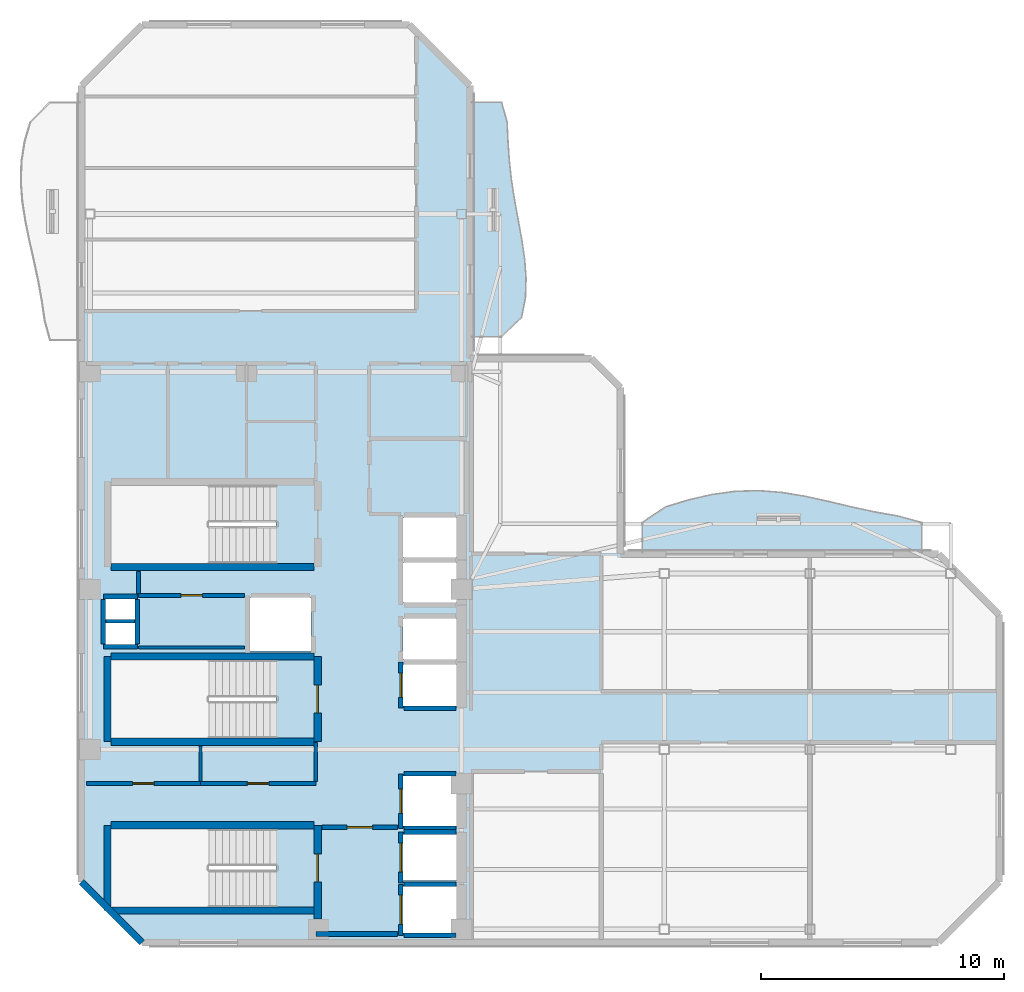
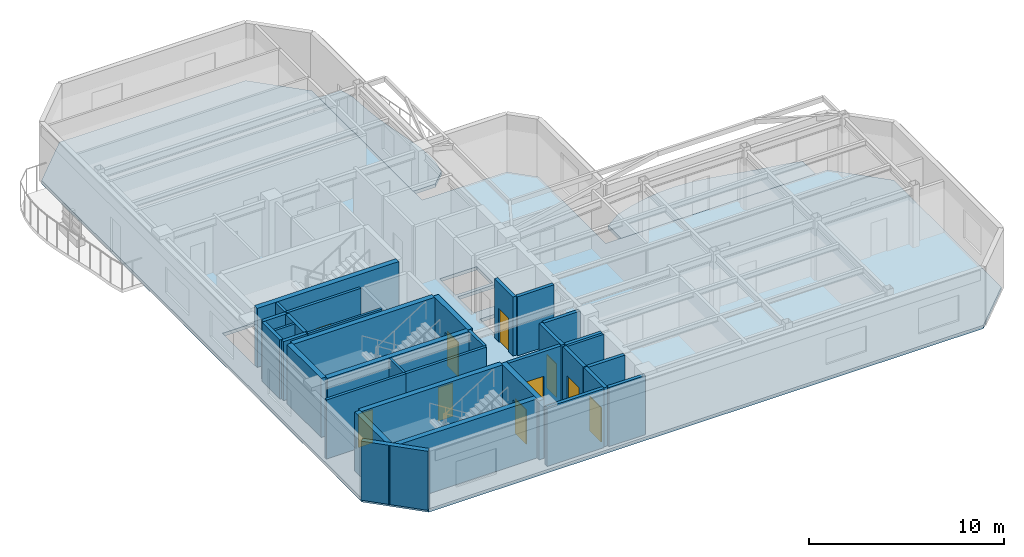
# One storey, part 2 of 8: 34 walls, 10 doors, 3 slabs, 10 openings.
"""IFC4 building model written with IfcOpenShell, lengths in metres."""

from ifc_helpers import new_model, si_unit, direction, frame, frame_2d, origin, place, context, subcontext, project, spatial, polyline, rectangle, outline, extrude, material, layer, layer_set, type_object, element, fill, save


model = new_model("IFC4")

# Units and contexts
model_context = context("Model", 3, precision=1e-05, world=origin(), true_north=direction((0.0, 1.0)))
body_context = subcontext(model_context, "Body", "Model", "MODEL_VIEW")
ifc_project = project(units=[si_unit("LENGTHUNIT", "METRE"), si_unit("AREAUNIT", "SQUARE_METRE"), si_unit("VOLUMEUNIT", "CUBIC_METRE"), si_unit("PLANEANGLEUNIT", "RADIAN"), si_unit("MASSUNIT", "GRAM", prefix="KILO")], contexts=[model_context])

# Site, building, storey
site_placement = place(None, origin())
site = spatial("IfcSite", under=ifc_project, at=site_placement, CompositionType="ELEMENT")
building_placement = place(site_placement, origin())
building = spatial("IfcBuilding", under=site, at=building_placement, Name="Mawjaban Terraces University", CompositionType="ELEMENT")
storey_placement = place(building_placement, frame((0.0, 0.0, 263.800048828125)))
storey = spatial("IfcBuildingStorey", under=building, at=storey_placement, Name="L64", CompositionType="ELEMENT", Elevation=263.800048828125)

# Slabs
ifc_material_1 = material(Name="Concrete C40/50", Category="concrete")
ifc_layer_1 = layer(ifc_material_1, 0.2099609375)
ifc_layer_set_1 = layer_set([ifc_layer_1], Name="Concrete C40/50")
slab_type_1 = type_object("IfcSlabType", Name="BalconySlab_210_Ext", PredefinedType="FLOOR", material=ifc_layer_set_1)
slab_1_placement = place(storey_placement, frame((0.0, 0.0, -0.2099609375)))
element("IfcSlab", 1, at=slab_1_placement, inside=storey, type_object=slab_type_1, Name="L64 Planted Balcony Slab inner_north", PredefinedType="FLOOR", context=body_context, shape_type="SweptSolid", body=[
    extrude(outline(polyline([(45.10009765625, 15.989990234375), (56.60009765625, 15.989990234375), (56.60009765625, 17.300048828125), (55.64208984375, 17.56103515625), (54.68310546875, 17.73095703125), (53.72509765625, 17.93798828125), (52.76708984375, 18.1650390625), (51.80810546875, 18.376953125), (50.85009765625, 18.534912109375), (49.89208984375, 18.610107421875), (48.93310546875, 18.5830078125), (47.97509765625, 18.452880859375), (47.01708984375, 18.23388671875), (46.05810546875, 17.94189453125), (45.10009765625, 17.300048828125), (45.10009765625, 15.989990234375)])), origin(), (0.0, 0.0, 1.0), 0.2099609375),
])
slab_2_placement = place(storey_placement, frame((0.0, 0.0, -0.2099609375)))
element("IfcSlab", 2, at=slab_2_placement, inside=storey, type_object=slab_type_1, Name="L64 Planted Balcony Slab inner_east", PredefinedType="FLOOR", context=body_context, shape_type="SweptSolid", body=[
    extrude(outline(polyline([(39.300048828125, 24.949951171875), (40.1259765625, 25.75390625), (40.282958984375, 26.55810546875), (40.30908203125, 27.363037109375), (40.248046875, 28.1669921875), (40.12890625, 28.970947265625), (39.98291015625, 29.77490234375), (39.8349609375, 30.5791015625), (39.708984375, 31.383056640625), (39.618896484375, 32.18798828125), (39.56494140625, 32.991943359375), (39.528076171875, 33.7958984375), (39.300048828125, 34.60009765625), (37.989990234375, 34.60009765625), (37.989990234375, 24.949951171875), (39.300048828125, 24.949951171875)])), origin(), (0.0, 0.0, 1.0), 0.2099609375),
])
ifc_layer_2 = layer(ifc_material_1, 0.2099609375)
ifc_layer_set_2 = layer_set([ifc_layer_2], Name="Concrete C40/50")
slab_type_2 = type_object("IfcSlabType", Name="CompositeSlab_210", PredefinedType="FLOOR", material=ifc_layer_set_2)
slab_3_placement = place(storey_placement, frame((0.0, 0.0, -0.2099609375)))
element("IfcSlab", 3, at=slab_3_placement, inside=storey, type_object=slab_type_2, Name="L64 Primary Structural Slab", PredefinedType="FLOOR", context=body_context, shape_type="SweptSolid", body=[
    extrude(outline(polyline([(24.5, 0.0), (57.300048828125, 0.0), (59.800048828125, 2.5), (59.800048828125, 13.5), (57.300048828125, 16.0), (44.199951171875, 16.0), (44.199951171875, 22.85009765625), (43.0, 24.050048828125), (38.0, 24.050048828125), (38.0, 35.300048828125), (35.5, 37.800048828125), (24.5, 37.800048828125), (22.0, 35.300048828125), (22.0, 2.5), (24.5, 0.0)]), holes=[polyline([(30.014892578125, 4.699951171875), (23.199951171875, 4.699951171875), (23.199951171875, 1.449951171875), (30.014892578125, 1.449951171875), (30.014892578125, 4.699951171875)]), polyline([(30.014892578125, 18.85009765625), (23.199951171875, 18.85009765625), (23.199951171875, 15.60009765625), (30.014892578125, 15.60009765625), (30.014892578125, 18.85009765625)]), polyline([(30.014892578125, 11.64990234375), (23.199951171875, 11.64990234375), (23.199951171875, 8.39990234375), (30.014892578125, 8.39990234375), (30.014892578125, 11.64990234375)]), polyline([(35.25, 0.39990234375), (37.449951171875, 0.39990234375), (37.449951171875, 2.300048828125), (35.25, 2.300048828125), (35.25, 0.39990234375)]), polyline([(35.25, 2.550048828125), (37.449951171875, 2.550048828125), (37.449951171875, 4.449951171875), (35.25, 4.449951171875), (35.25, 2.550048828125)]), polyline([(35.25, 4.800048828125), (37.449951171875, 4.800048828125), (37.449951171875, 6.85009765625), (35.25, 6.85009765625), (35.25, 4.800048828125)]), polyline([(35.25, 9.75), (37.449951171875, 9.75), (37.449951171875, 11.449951171875), (35.25, 11.449951171875), (35.25, 9.75)]), polyline([(35.25, 11.64990234375), (37.449951171875, 11.64990234375), (37.449951171875, 13.35009765625), (35.25, 13.35009765625), (35.25, 11.64990234375)]), polyline([(28.949951171875, 12.0), (31.449951171875, 12.0), (31.449951171875, 14.199951171875), (28.949951171875, 14.199951171875), (28.949951171875, 12.0)]), polyline([(35.25, 14.0), (37.449951171875, 14.0), (37.449951171875, 15.64990234375), (35.25, 15.64990234375), (35.25, 14.0)]), polyline([(35.25, 15.85009765625), (37.449951171875, 15.85009765625), (37.449951171875, 17.5), (35.25, 17.5), (35.25, 15.85009765625)]), polyline([(23.0, 12.25), (24.199951171875, 12.25), (24.199951171875, 13.14990234375), (23.0, 13.14990234375), (23.0, 12.25)]), polyline([(23.0, 13.300048828125), (24.199951171875, 13.300048828125), (24.199951171875, 14.179931640625), (23.0, 14.179931640625), (23.0, 13.300048828125)])]), origin(), (0.0, 0.0, 1.0), 0.2099609375),
])

# Wall, opening, door
ifc_material_2 = material(Name="Fire-rated gypsum board on steel stud", Category="steel")
ifc_layer_3 = layer(ifc_material_2, 0.159912109375)
ifc_layer_set_3 = layer_set([ifc_layer_3], Name="Fire-rated gypsum board on steel stud")
wall_type_1 = type_object("IfcWallType", Name="CorridorPartition_160", PredefinedType="PARTITIONING", material=ifc_layer_set_3)
wall_1_placement = place(storey_placement, frame((24.35009765625, 14.300048828125, 0.0), z_axis=(0.0, 0.0, 1.0), x_axis=(1.0, 0.0, 0.0)))
wall_1 = element("IfcWall", 4, at=wall_1_placement, inside=storey, type_object=wall_type_1, Name="L64 Core Riser Access Passage Partition 2", PredefinedType="PARTITIONING", context=body_context, shape_type="SweptSolid", body=[
    extrude(rectangle(XDim=4.369873046875, YDim=0.159912109375, at=frame_2d((2.18505859375, 0.0))), origin(), (0.0, 0.0, 1.0), 3.68994140625),
])
opening_1_placement = place(wall_1_placement, frame((1.7451171875, 0.0, 0.0)))
opening_1 = element("IfcOpeningElement", 5, at=opening_1_placement, cuts=wall_1, Name="Opening ID-088", PredefinedType="OPENING", context=body_context, shape_type="SweptSolid", body=[
    extrude(rectangle(XDim=0.8798828125, YDim=2.10009765625, at=frame_2d((0.43994140625, 1.050048828125))), frame((0.0, 0.08984375, 0.0), z_axis=(0.0, -1.0, 0.0), x_axis=(1.0, 0.0, 0.0)), (0.0, 0.0, 1.0), 0.179931640625),
])
ifc_material_3 = material(Name="Powder-coated steel frame and solid acoustic timber leaf", Category="steel")
door_type_1 = type_object("IfcDoorType", Name="ToiletDoor_880x2100", OperationType="NOTDEFINED", PredefinedType="DOOR", material=ifc_material_3)
door_1_placement = place(opening_1_placement, origin())
door_1 = element("IfcDoor", 6, at=door_1_placement, inside=storey, type_object=door_type_1, Name="L64 Ablution Room Door", OperationType="SINGLE_SWING_RIGHT", OverallHeight=2.10009765625, OverallWidth=0.8798828125, PredefinedType="DOOR", context=body_context, shape_type="SweptSolid", body=[
    extrude(rectangle(XDim=0.8798828125, YDim=2.10009765625, at=frame_2d((0.43994140625, 1.050048828125))), frame((0.0, 0.02490234375, 0.0), z_axis=(0.0, -1.0, 0.0), x_axis=(1.0, 0.0, 0.0)), (0.0, 0.0, 1.0), 0.050048828125),
])
fill(opening_1, door_1)

wall_2_placement = place(storey_placement, frame((26.89990234375, 6.550048828125, 0.0), z_axis=(0.0, 0.0, 1.0), x_axis=(-1.0, 0.0, 0.0)))
wall_2 = element("IfcWall", 7, at=wall_2_placement, inside=storey, type_object=wall_type_1, Name="L64 Core Washroom Lobby Partition 4", PredefinedType="PARTITIONING", context=body_context, shape_type="SweptSolid", body=[
    extrude(rectangle(XDim=4.699951171875, YDim=0.159912109375, at=frame_2d((2.35009765625, 0.0))), origin(), (0.0, 0.0, 1.0), 3.68994140625),
])
opening_2_placement = place(wall_2_placement, frame((1.909912109375, 0.0, 0.0)))
opening_2 = element("IfcOpeningElement", 8, at=opening_2_placement, cuts=wall_2, Name="Opening ID-088", PredefinedType="OPENING", context=body_context, shape_type="SweptSolid", body=[
    extrude(rectangle(XDim=0.8798828125, YDim=2.10009765625, at=frame_2d((0.43994140625, 1.050048828125))), frame((0.0, 0.08984375, 0.0), z_axis=(0.0, -1.0, 0.0), x_axis=(1.0, 0.0, 0.0)), (0.0, 0.0, 1.0), 0.179931640625),
])
door_2_placement = place(opening_2_placement, origin())
door_2 = element("IfcDoor", 9, at=door_2_placement, inside=storey, type_object=door_type_1, Name="L64 Male Toilet Door", OperationType="SINGLE_SWING_RIGHT", OverallHeight=2.10009765625, OverallWidth=0.8798828125, PredefinedType="DOOR", context=body_context, shape_type="SweptSolid", body=[
    extrude(rectangle(XDim=0.8798828125, YDim=2.10009765625, at=frame_2d((0.43994140625, 1.050048828125))), frame((0.0, 0.02490234375, 0.0), z_axis=(0.0, -1.0, 0.0), x_axis=(1.0, 0.0, 0.0)), (0.0, 0.0, 1.0), 0.050048828125),
])
fill(opening_2, door_2)

wall_3_placement = place(storey_placement, frame((31.64990234375, 6.550048828125, 0.0), z_axis=(0.0, 0.0, 1.0), x_axis=(-1.0, 0.0, 0.0)))
wall_3 = element("IfcWall", 10, at=wall_3_placement, inside=storey, type_object=wall_type_1, Name="L64 Core Washroom Lobby Partition 7", PredefinedType="PARTITIONING", context=body_context, shape_type="SweptSolid", body=[
    extrude(rectangle(XDim=4.75, YDim=0.159912109375, at=frame_2d((2.375, 0.0))), origin(), (0.0, 0.0, 1.0), 3.68994140625),
])
opening_3_placement = place(wall_3_placement, frame((1.93505859375, 0.0, 0.0)))
opening_3 = element("IfcOpeningElement", 11, at=opening_3_placement, cuts=wall_3, Name="Opening ID-088", PredefinedType="OPENING", context=body_context, shape_type="SweptSolid", body=[
    extrude(rectangle(XDim=0.8798828125, YDim=2.10009765625, at=frame_2d((0.43994140625, 1.050048828125))), frame((0.0, 0.08984375, 0.0), z_axis=(0.0, -1.0, 0.0), x_axis=(1.0, 0.0, 0.0)), (0.0, 0.0, 1.0), 0.179931640625),
])
door_3_placement = place(opening_3_placement, origin())
door_3 = element("IfcDoor", 12, at=door_3_placement, inside=storey, type_object=door_type_1, Name="L64 Accessible Toilet Door", OperationType="SINGLE_SWING_LEFT", OverallHeight=2.10009765625, OverallWidth=0.8798828125, PredefinedType="DOOR", context=body_context, shape_type="SweptSolid", body=[
    extrude(rectangle(XDim=0.8798828125, YDim=2.10009765625, at=frame_2d((0.43994140625, 1.050048828125))), frame((0.0, 0.02490234375, 0.0), z_axis=(0.0, -1.0, 0.0), x_axis=(1.0, 0.0, 0.0)), (0.0, 0.0, 1.0), 0.050048828125),
])
fill(opening_3, door_3)

# Walls
wall_4_placement = place(storey_placement, frame((24.35009765625, 15.2900390625, 0.0), z_axis=(0.0, 0.0, 1.0), x_axis=(0.0, -1.0, 0.0)))
element("IfcWall", 13, at=wall_4_placement, inside=storey, type_object=wall_type_1, Name="L64 Core Riser Access Passage Partition 24", PredefinedType="PARTITIONING", context=body_context, shape_type="SweptSolid", body=[
    extrude(rectangle(XDim=0.9150390625, YDim=0.159912109375, at=frame_2d((0.45751953125, 0.0))), origin(), (0.0, 0.0, 1.0), 3.68994140625),
])
wall_5_placement = place(storey_placement, frame((31.64990234375, 8.239990234375, 0.0), z_axis=(0.0, 0.0, 1.0), x_axis=(0.0, -1.0, 0.0)))
element("IfcWall", 14, at=wall_5_placement, inside=storey, type_object=wall_type_1, Name="L64 High-Rise Lift Lobby Partition 29", PredefinedType="PARTITIONING", context=body_context, shape_type="SweptSolid", body=[
    extrude(rectangle(XDim=1.614990234375, YDim=0.159912109375, at=frame_2d((0.8076171875, 0.0))), origin(), (0.0, 0.0, 1.0), 3.68994140625),
])
ifc_material_4 = material(Name="Insulated terracotta rainscreen on concrete backup C40/50", Category="masonry")
ifc_layer_4 = layer(ifc_material_4, 0.27490234375)
ifc_layer_set_4 = layer_set([ifc_layer_4], Name="Insulated terracotta rainscreen on concrete backup C40/50")
wall_type_2 = type_object("IfcWallType", Name="ExtTerracottaWall_275", PredefinedType="SOLIDWALL", material=ifc_layer_set_4)
wall_6_placement = place(storey_placement, frame((22.0, 2.5, 0.0), z_axis=(0.0, 0.0, 1.0), x_axis=(0.707106781187, -0.707106781187, 0.0)))
element("IfcWall", 15, at=wall_6_placement, inside=storey, type_object=wall_type_2, Name="L64 Exterior Terracotta Wall 14", PredefinedType="SOLIDWALL", context=body_context, shape_type="SweptSolid", body=[
    extrude(rectangle(XDim=3.53564453125, YDim=0.27490234375, at=frame_2d((1.767822265625, 0.0))), origin(), (0.0, 0.0, 1.0), 3.68994140625),
])

# Wall, opening, door
ifc_layer_5 = layer(ifc_material_1, 0.199951171875)
ifc_layer_set_5 = layer_set([ifc_layer_5], Name="Concrete C40/50")
wall_type_3 = type_object("IfcWallType", Name="FireLobbyWall_200", PredefinedType="SOLIDWALL", material=ifc_layer_set_5)
wall_7_placement = place(storey_placement, frame((35.14990234375, 2.39990234375, 0.0), z_axis=(0.0, 0.0, 1.0), x_axis=(0.0, -1.0, 0.0)))
wall_7 = element("IfcWall", 16, at=wall_7_placement, inside=storey, type_object=wall_type_3, Name="L64 Lift FL-1 Hoistway Wall West", PredefinedType="SOLIDWALL", context=body_context, shape_type="SweptSolid", body=[
    extrude(rectangle(XDim=2.099853515625, YDim=0.199951171875, at=frame_2d((1.0498046875, 0.0))), origin(), (0.0, 0.0, 1.0), 3.68994140625),
])
opening_4_placement = place(wall_7_placement, frame((0.449951171875, 0.0, 0.0)))
opening_4 = element("IfcOpeningElement", 17, at=opening_4_placement, cuts=wall_7, Name="Opening LD-FL-1", PredefinedType="OPENING", context=body_context, shape_type="SweptSolid", body=[
    extrude(rectangle(XDim=1.199951171875, YDim=2.14990234375, at=frame_2d((0.60009765625, 1.074951171875))), frame((0.0, 0.10986328125, 0.0), z_axis=(0.0, -1.0, 0.0), x_axis=(1.0, 0.0, 0.0)), (0.0, 0.0, 1.0), 0.219970703125),
])
ifc_material_5 = material(Name="Powder-coated steel frame and fire-rated steel-faced leaf", Category="steel")
door_type_2 = type_object("IfcDoorType", Name="LiftLandingFSAE_1200x2150", OperationType="NOTDEFINED", PredefinedType="DOOR", material=ifc_material_5)
door_4_placement = place(opening_4_placement, origin())
door_4 = element("IfcDoor", 18, at=door_4_placement, inside=storey, type_object=door_type_2, Name="L64 Lift FL-1 Sliding Landing Door", OperationType="DOUBLE_DOOR_SLIDING", OverallHeight=2.14990234375, OverallWidth=1.199951171875, PredefinedType="DOOR", context=body_context, shape_type="SweptSolid", body=[
    extrude(rectangle(XDim=1.199951171875, YDim=2.14990234375, at=frame_2d((0.60009765625, 1.074951171875))), frame((0.0, 0.02490234375, 0.0), z_axis=(0.0, -1.0, 0.0), x_axis=(1.0, 0.0, 0.0)), (0.0, 0.0, 1.0), 0.050048828125),
])
fill(opening_4, door_4)

# Walls
for number, where, z_axis, x_axis, name in (
    (19, (35.280029296875, 0.300048828125, 0.0), (0.0, 0.0, 1.0), (1.0, 0.0, 0.0), "L64 Lift FL-1 Hoistway Wall South"),
    (20, (37.419921875, 2.39990234375, 0.0), (0.0, 0.0, 1.0), (-1.0, 0.0, 0.0), "L64 Lift FL-1 Hoistway Wall North"),
):
    element("IfcWall", number, at=place(storey_placement, frame(where, z_axis=z_axis, x_axis=x_axis)), inside=storey, type_object=wall_type_3, Name=name, PredefinedType="SOLIDWALL", context=body_context, shape_type="SweptSolid", body=[
        extrude(rectangle(XDim=2.139892578125, YDim=0.199951171875, at=frame_2d((1.06982421875, 0.0))), origin(), (0.0, 0.0, 1.0), 3.68994140625),
    ])

# Wall, opening, door
wall_8_placement = place(storey_placement, frame((35.14990234375, 4.550048828125, 0.0), z_axis=(0.0, 0.0, 1.0), x_axis=(0.0, -1.0, 0.0)))
wall_8 = element("IfcWall", 21, at=wall_8_placement, inside=storey, type_object=wall_type_3, Name="L64 Lift FL-2 Hoistway Wall West", PredefinedType="SOLIDWALL", context=body_context, shape_type="SweptSolid", body=[
    extrude(rectangle(XDim=2.10009765625, YDim=0.199951171875, at=frame_2d((1.050048828125, 0.0))), origin(), (0.0, 0.0, 1.0), 3.68994140625),
])
opening_5_placement = place(wall_8_placement, frame((0.449951171875, 0.0, 0.0)))
opening_5 = element("IfcOpeningElement", 22, at=opening_5_placement, cuts=wall_8, Name="Opening LD-FL-2", PredefinedType="OPENING", context=body_context, shape_type="SweptSolid", body=[
    extrude(rectangle(XDim=1.199951171875, YDim=2.14990234375, at=frame_2d((0.60009765625, 1.074951171875))), frame((0.0, 0.10986328125, 0.0), z_axis=(0.0, -1.0, 0.0), x_axis=(1.0, 0.0, 0.0)), (0.0, 0.0, 1.0), 0.219970703125),
])
door_5_placement = place(opening_5_placement, origin())
door_5 = element("IfcDoor", 23, at=door_5_placement, inside=storey, type_object=door_type_2, Name="L64 Lift FL-2 Sliding Landing Door", OperationType="DOUBLE_DOOR_SLIDING", OverallHeight=2.14990234375, OverallWidth=1.199951171875, PredefinedType="DOOR", context=body_context, shape_type="SweptSolid", body=[
    extrude(rectangle(XDim=1.199951171875, YDim=2.14990234375, at=frame_2d((0.60009765625, 1.074951171875))), frame((0.0, 0.02490234375, 0.0), z_axis=(0.0, -1.0, 0.0), x_axis=(1.0, 0.0, 0.0)), (0.0, 0.0, 1.0), 0.050048828125),
])
fill(opening_5, door_5)

# Wall
wall_9_placement = place(storey_placement, frame((37.419921875, 4.550048828125, 0.0), z_axis=(0.0, 0.0, 1.0), x_axis=(-1.0, 0.0, 0.0)))
element("IfcWall", 24, at=wall_9_placement, inside=storey, type_object=wall_type_3, Name="L64 Lift FL-2 Hoistway Wall North", PredefinedType="SOLIDWALL", context=body_context, shape_type="SweptSolid", body=[
    extrude(rectangle(XDim=2.139892578125, YDim=0.199951171875, at=frame_2d((1.06982421875, 0.0))), origin(), (0.0, 0.0, 1.0), 3.68994140625),
])

# Wall, opening, door
wall_10_placement = place(storey_placement, frame((35.14990234375, 6.949951171875, 0.0), z_axis=(0.0, 0.0, 1.0), x_axis=(0.0, -1.0, 0.0)))
wall_10 = element("IfcWall", 25, at=wall_10_placement, inside=storey, type_object=wall_type_3, Name="L64 Lift SL-1 Hoistway Wall West", PredefinedType="SOLIDWALL", context=body_context, shape_type="SweptSolid", body=[
    extrude(rectangle(XDim=2.25, YDim=0.199951171875, at=frame_2d((1.125, 0.0))), origin(), (0.0, 0.0, 1.0), 3.68994140625),
])
opening_6_placement = place(wall_10_placement, frame((0.625, 0.0, 0.0)))
opening_6 = element("IfcOpeningElement", 26, at=opening_6_placement, cuts=wall_10, Name="Opening LD-SL-1", PredefinedType="OPENING", context=body_context, shape_type="SweptSolid", body=[
    extrude(rectangle(XDim=1.0, YDim=2.10009765625, at=frame_2d((0.5, 1.050048828125))), frame((0.0, 0.10986328125, 0.0), z_axis=(0.0, -1.0, 0.0), x_axis=(1.0, 0.0, 0.0)), (0.0, 0.0, 1.0), 0.219970703125),
])
door_type_3 = type_object("IfcDoorType", Name="LiftLandingSliding_1000x2100", OperationType="NOTDEFINED", PredefinedType="DOOR", material=ifc_material_5)
door_6_placement = place(opening_6_placement, origin())
door_6 = element("IfcDoor", 27, at=door_6_placement, inside=storey, type_object=door_type_3, Name="L64 Lift SL-1 Sliding Landing Door", OperationType="DOUBLE_DOOR_SLIDING", OverallHeight=2.10009765625, OverallWidth=1.0, PredefinedType="DOOR", context=body_context, shape_type="SweptSolid", body=[
    extrude(rectangle(XDim=1.0, YDim=2.10009765625, at=frame_2d((0.5, 1.050048828125))), frame((0.0, 0.02490234375, 0.0), z_axis=(0.0, -1.0, 0.0), x_axis=(1.0, 0.0, 0.0)), (0.0, 0.0, 1.0), 0.050048828125),
])
fill(opening_6, door_6)

# Walls
for number, where, z_axis, x_axis, name in (
    (28, (35.280029296875, 4.699951171875, 0.0), (0.0, 0.0, 1.0), (1.0, 0.0, 0.0), "L64 Lift SL-1 Hoistway Wall South"),
    (29, (37.419921875, 6.949951171875, 0.0), (0.0, 0.0, 1.0), (-1.0, 0.0, 0.0), "L64 Lift SL-1 Hoistway Wall North"),
):
    element("IfcWall", number, at=place(storey_placement, frame(where, z_axis=z_axis, x_axis=x_axis)), inside=storey, type_object=wall_type_3, Name=name, PredefinedType="SOLIDWALL", context=body_context, shape_type="SweptSolid", body=[
        extrude(rectangle(XDim=2.139892578125, YDim=0.199951171875, at=frame_2d((1.06982421875, 0.0))), origin(), (0.0, 0.0, 1.0), 3.68994140625),
    ])

# Wall, opening, door
wall_11_placement = place(storey_placement, frame((35.14990234375, 11.550048828125, 0.0), z_axis=(0.0, 0.0, 1.0), x_axis=(0.0, -1.0, 0.0)))
wall_11 = element("IfcWall", 30, at=wall_11_placement, inside=storey, type_object=wall_type_3, Name="L64 Lift PL-H1 Hoistway Wall West", PredefinedType="SOLIDWALL", context=body_context, shape_type="SweptSolid", body=[
    extrude(rectangle(XDim=1.900146484375, YDim=0.199951171875, at=frame_2d((0.9501953125, 0.0))), origin(), (0.0, 0.0, 1.0), 3.68994140625),
])
opening_7_placement = place(wall_11_placement, frame((0.449951171875, 0.0, 0.0)))
opening_7 = element("IfcOpeningElement", 31, at=opening_7_placement, cuts=wall_11, Name="Opening LD-PL-H1", PredefinedType="OPENING", context=body_context, shape_type="SweptSolid", body=[
    extrude(rectangle(XDim=1.0, YDim=2.10009765625, at=frame_2d((0.5, 1.050048828125))), frame((0.0, 0.10986328125, 0.0), z_axis=(0.0, -1.0, 0.0), x_axis=(1.0, 0.0, 0.0)), (0.0, 0.0, 1.0), 0.219970703125),
])
door_7_placement = place(opening_7_placement, origin())
door_7 = element("IfcDoor", 32, at=door_7_placement, inside=storey, type_object=door_type_3, Name="L64 Lift PL-H1 Sliding Landing Door", OperationType="DOUBLE_DOOR_SLIDING", OverallHeight=2.10009765625, OverallWidth=1.0, PredefinedType="DOOR", context=body_context, shape_type="SweptSolid", body=[
    extrude(rectangle(XDim=1.0, YDim=2.10009765625, at=frame_2d((0.5, 1.050048828125))), frame((0.0, 0.02490234375, 0.0), z_axis=(0.0, -1.0, 0.0), x_axis=(1.0, 0.0, 0.0)), (0.0, 0.0, 1.0), 0.050048828125),
])
fill(opening_7, door_7)

# Walls
wall_12_placement = place(storey_placement, frame((35.280029296875, 9.64990234375, 0.0), z_axis=(0.0, 0.0, 1.0), x_axis=(1.0, 0.0, 0.0)))
element("IfcWall", 33, at=wall_12_placement, inside=storey, type_object=wall_type_3, Name="L64 Lift PL-H1 Hoistway Wall South", PredefinedType="SOLIDWALL", context=body_context, shape_type="SweptSolid", body=[
    extrude(rectangle(XDim=2.139892578125, YDim=0.199951171875, at=frame_2d((1.06982421875, 0.0))), origin(), (0.0, 0.0, 1.0), 3.68994140625),
])
for number, where, z_axis, x_axis, name in (
    (34, (22.89990234375, 14.25, 0.0), (0.0, 0.0, 1.0), (1.0, 0.0, 0.0), "L64 MEP Riser Shaft Wall N"),
    (35, (22.89990234375, 12.179931640625, 0.0), (0.0, 0.0, 1.0), (1.0, 0.0, 0.0), "L64 MEP Riser Shaft Wall S"),
):
    element("IfcWall", number, at=place(storey_placement, frame(where, z_axis=z_axis, x_axis=x_axis)), inside=storey, type_object=wall_type_3, Name=name, PredefinedType="SOLIDWALL", context=body_context, shape_type="SweptSolid", body=[
        extrude(rectangle(XDim=1.400146484375, YDim=0.199951171875, at=frame_2d((0.7001953125, 0.0))), origin(), (0.0, 0.0, 1.0), 3.68994140625),
    ])
for number, where, z_axis, x_axis, name in (
    (36, (24.300048828125, 12.300048828125, 0.0), (0.0, 0.0, 1.0), (0.0, 1.0, 0.0), "L64 MEP Riser Shaft Wall E"),
    (37, (22.89990234375, 12.300048828125, 0.0), (0.0, 0.0, 1.0), (0.0, 1.0, 0.0), "L64 MEP Riser Shaft Wall W"),
):
    element("IfcWall", number, at=place(storey_placement, frame(where, z_axis=z_axis, x_axis=x_axis)), inside=storey, type_object=wall_type_3, Name=name, PredefinedType="SOLIDWALL", context=body_context, shape_type="SweptSolid", body=[
        extrude(rectangle(XDim=1.829833984375, YDim=0.199951171875, at=frame_2d((0.9150390625, 0.0))), origin(), (0.0, 0.0, 1.0), 3.68994140625),
    ])
wall_13_placement = place(storey_placement, frame((31.64990234375, 0.35009765625, 0.0), z_axis=(0.0, 0.0, 1.0), x_axis=(1.0, 0.0, 0.0)))
element("IfcWall", 38, at=wall_13_placement, inside=storey, type_object=wall_type_3, Name="L64 Firefighting Lift Lobby Partition 6", PredefinedType="SOLIDWALL", context=body_context, shape_type="SweptSolid", body=[
    extrude(rectangle(XDim=3.3701171875, YDim=0.199951171875, at=frame_2d((1.68505859375, 0.0))), origin(), (0.0, 0.0, 1.0), 3.68994140625),
])

# Wall, opening, door
wall_14_placement = place(storey_placement, frame((35.02001953125, 4.75, 0.0), z_axis=(0.0, 0.0, 1.0), x_axis=(-1.0, 0.0, 0.0)))
wall_14 = element("IfcWall", 39, at=wall_14_placement, inside=storey, type_object=wall_type_3, Name="L64 Firefighting Lift Lobby Partition 11", PredefinedType="SOLIDWALL", context=body_context, shape_type="SweptSolid", body=[
    extrude(rectangle(XDim=3.110107421875, YDim=0.199951171875, at=frame_2d((1.55517578125, 0.0))), origin(), (0.0, 0.0, 1.0), 3.68994140625),
])
opening_8_placement = place(wall_14_placement, frame((1.030029296875, 0.0, 0.0)))
opening_8 = element("IfcOpeningElement", 40, at=opening_8_placement, cuts=wall_14, Name="Opening FD-105", PredefinedType="OPENING", context=body_context, shape_type="SweptSolid", body=[
    extrude(rectangle(XDim=1.050048828125, YDim=2.14990234375, at=frame_2d((0.52490234375, 1.074951171875))), frame((0.0, 0.10986328125, 0.0), z_axis=(0.0, -1.0, 0.0), x_axis=(1.0, 0.0, 0.0)), (0.0, 0.0, 1.0), 0.219970703125),
])
door_type_4 = type_object("IfcDoorType", Name="FireLobbyDoor_1050x2150", OperationType="NOTDEFINED", PredefinedType="DOOR", material=ifc_material_5)
door_8_placement = place(opening_8_placement, origin())
door_8 = element("IfcDoor", 41, at=door_8_placement, inside=storey, type_object=door_type_4, Name="L64 Firefighting Lift Lobby Door", OperationType="SINGLE_SWING_LEFT", OverallHeight=2.14990234375, OverallWidth=1.050048828125, PredefinedType="DOOR", context=body_context, shape_type="SweptSolid", body=[
    extrude(rectangle(XDim=1.050048828125, YDim=2.14990234375, at=frame_2d((0.52490234375, 1.074951171875))), frame((0.0, 0.02490234375, 0.0), z_axis=(0.0, -1.0, 0.0), x_axis=(1.0, 0.0, 0.0)), (0.0, 0.0, 1.0), 0.050048828125),
])
fill(opening_8, door_8)

# Walls
ifc_material_6 = material(Name="Moisture-resistant gypsum board on steel stud", Category="steel")
ifc_layer_6 = layer(ifc_material_6, 0.14501953125)
ifc_layer_set_6 = layer_set([ifc_layer_6], Name="Moisture-resistant gypsum board on steel stud")
wall_type_4 = type_object("IfcWallType", Name="LabPartition_145", PredefinedType="PARTITIONING", material=ifc_layer_set_6)
wall_15_placement = place(storey_placement, frame((23.010009765625, 13.22509765625, 0.0), z_axis=(0.0, 0.0, 1.0), x_axis=(1.0, 0.0, 0.0)))
element("IfcWall", 42, at=wall_15_placement, inside=storey, type_object=wall_type_4, Name="L64 MEP Riser Shaft Wall M", PredefinedType="PARTITIONING", context=body_context, shape_type="SweptSolid", body=[
    extrude(rectangle(XDim=1.179931640625, YDim=0.14501953125, at=frame_2d((0.58984375, 0.0))), origin(), (0.0, 0.0, 1.0), 3.68994140625),
])
ifc_material_7 = material(Name="Concrete C60/75", Category="concrete")
ifc_layer_7 = layer(ifc_material_7, 0.300048828125)
ifc_layer_set_7 = layer_set([ifc_layer_7], Name="Concrete C60/75")
wall_type_5 = type_object("IfcWallType", Name="StairShaftWall_300", PredefinedType="SHEAR", material=ifc_layer_set_7)
wall_16_placement = place(storey_placement, frame((31.580078125, 4.830078125, 0.0), z_axis=(0.0, 0.0, 1.0), x_axis=(-1.0, 0.0, 0.0)))
element("IfcWall", 43, at=wall_16_placement, inside=storey, type_object=wall_type_5, Name="L64 ST-1 Stair Shaft Wall 1", PredefinedType="SHEAR", context=body_context, shape_type="SweptSolid", body=[
    extrude(rectangle(XDim=8.360107421875, YDim=0.300048828125, at=frame_2d((4.18017578125, 0.0))), origin(), (0.0, 0.0, 1.0), 3.68994140625),
])
wall_17_placement = place(storey_placement, frame((23.070068359375, 4.830078125, 0.0), z_axis=(0.0, 0.0, 1.0), x_axis=(0.0, -1.0, 0.0)))
element("IfcWall", 44, at=wall_17_placement, inside=storey, type_object=wall_type_5, Name="L64 ST-1 Stair Shaft Wall 2", PredefinedType="SHEAR", context=body_context, shape_type="SweptSolid", body=[
    extrude(rectangle(XDim=3.510009765625, YDim=0.300048828125, at=frame_2d((1.7548828125, 0.0))), origin(), (0.0, 0.0, 1.0), 3.68994140625),
])
wall_18_placement = place(storey_placement, frame((23.219970703125, 1.320068359375, 0.0), z_axis=(0.0, 0.0, 1.0), x_axis=(1.0, 0.0, 0.0)))
element("IfcWall", 45, at=wall_18_placement, inside=storey, type_object=wall_type_5, Name="L64 ST-1 Stair Shaft Wall 3", PredefinedType="SHEAR", context=body_context, shape_type="SweptSolid", body=[
    extrude(rectangle(XDim=8.360107421875, YDim=0.300048828125, at=frame_2d((4.18017578125, 0.0))), origin(), (0.0, 0.0, 1.0), 3.68994140625),
])

# Wall, opening, door
wall_19_placement = place(storey_placement, frame((31.72998046875, 0.9599609375, 0.0), z_axis=(0.0, 0.0, 1.0), x_axis=(0.0, 1.0, 0.0)))
wall_19 = element("IfcWall", 46, at=wall_19_placement, inside=storey, type_object=wall_type_5, Name="L64 ST-1 Stair Shaft Wall 4", PredefinedType="SHEAR", context=body_context, shape_type="SweptSolid", body=[
    extrude(rectangle(XDim=3.8701171875, YDim=0.300048828125, at=frame_2d((1.93505859375, 0.0))), origin(), (0.0, 0.0, 1.0), 3.68994140625),
])
opening_9_placement = place(wall_19_placement, frame((1.5400390625, 0.0, 0.0)))
opening_9 = element("IfcOpeningElement", 47, at=opening_9_placement, cuts=wall_19, Name="Opening FD-115", PredefinedType="OPENING", context=body_context, shape_type="SweptSolid", body=[
    extrude(rectangle(XDim=1.14990234375, YDim=2.14990234375, at=frame_2d((0.574951171875, 1.074951171875))), frame((0.0, 0.159912109375, 0.0), z_axis=(0.0, -1.0, 0.0), x_axis=(1.0, 0.0, 0.0)), (0.0, 0.0, 1.0), 0.320068359375),
])
door_type_5 = type_object("IfcDoorType", Name="FireStairDoor_1150x2150", OperationType="NOTDEFINED", PredefinedType="DOOR", material=ifc_material_5)
door_9_placement = place(opening_9_placement, origin())
door_9 = element("IfcDoor", 48, at=door_9_placement, inside=storey, type_object=door_type_5, Name="L64 ST-1 Pressurised Stair Fire Door", OperationType="SINGLE_SWING_RIGHT", OverallHeight=2.14990234375, OverallWidth=1.14990234375, PredefinedType="DOOR", context=body_context, shape_type="SweptSolid", body=[
    extrude(rectangle(XDim=1.14990234375, YDim=2.14990234375, at=frame_2d((0.574951171875, 1.074951171875))), frame((0.0, 0.02490234375, 0.0), z_axis=(0.0, -1.0, 0.0), x_axis=(1.0, 0.0, 0.0)), (0.0, 0.0, 1.0), 0.050048828125),
])
fill(opening_9, door_9)

# Walls
for number, where, z_axis, x_axis, name in (
    (49, (23.219970703125, 15.469970703125, 0.0), (0.0, 0.0, 1.0), (1.0, 0.0, 0.0), "L64 ST-2 Stair Shaft Wall 3"),
    (50, (31.580078125, 11.780029296875, 0.0), (0.0, 0.0, 1.0), (-1.0, 0.0, 0.0), "L64 ST-3 Stair Shaft Wall 1"),
):
    element("IfcWall", number, at=place(storey_placement, frame(where, z_axis=z_axis, x_axis=x_axis)), inside=storey, type_object=wall_type_5, Name=name, PredefinedType="SHEAR", context=body_context, shape_type="SweptSolid", body=[
        extrude(rectangle(XDim=8.360107421875, YDim=0.300048828125, at=frame_2d((4.18017578125, 0.0))), origin(), (0.0, 0.0, 1.0), 3.68994140625),
    ])
wall_20_placement = place(storey_placement, frame((23.070068359375, 11.780029296875, 0.0), z_axis=(0.0, 0.0, 1.0), x_axis=(0.0, -1.0, 0.0)))
element("IfcWall", 51, at=wall_20_placement, inside=storey, type_object=wall_type_5, Name="L64 ST-3 Stair Shaft Wall 2", PredefinedType="SHEAR", context=body_context, shape_type="SweptSolid", body=[
    extrude(rectangle(XDim=3.510009765625, YDim=0.300048828125, at=frame_2d((1.7548828125, 0.0))), origin(), (0.0, 0.0, 1.0), 3.68994140625),
])
wall_21_placement = place(storey_placement, frame((23.219970703125, 8.27001953125, 0.0), z_axis=(0.0, 0.0, 1.0), x_axis=(1.0, 0.0, 0.0)))
element("IfcWall", 52, at=wall_21_placement, inside=storey, type_object=wall_type_5, Name="L64 ST-3 Stair Shaft Wall 3", PredefinedType="SHEAR", context=body_context, shape_type="SweptSolid", body=[
    extrude(rectangle(XDim=8.360107421875, YDim=0.300048828125, at=frame_2d((4.18017578125, 0.0))), origin(), (0.0, 0.0, 1.0), 3.68994140625),
])

# Wall, opening, door
wall_22_placement = place(storey_placement, frame((31.72998046875, 8.27001953125, 0.0), z_axis=(0.0, 0.0, 1.0), x_axis=(0.0, 1.0, 0.0)))
wall_22 = element("IfcWall", 53, at=wall_22_placement, inside=storey, type_object=wall_type_5, Name="L64 ST-3 Stair Shaft Wall 4", PredefinedType="SHEAR", context=body_context, shape_type="SweptSolid", body=[
    extrude(rectangle(XDim=3.510009765625, YDim=0.300048828125, at=frame_2d((1.7548828125, 0.0))), origin(), (0.0, 0.0, 1.0), 3.68994140625),
])
opening_10_placement = place(wall_22_placement, frame((1.179931640625, 0.0, 0.0)))
opening_10 = element("IfcOpeningElement", 54, at=opening_10_placement, cuts=wall_22, Name="Opening FD-115", PredefinedType="OPENING", context=body_context, shape_type="SweptSolid", body=[
    extrude(rectangle(XDim=1.14990234375, YDim=2.14990234375, at=frame_2d((0.574951171875, 1.074951171875))), frame((0.0, 0.159912109375, 0.0), z_axis=(0.0, -1.0, 0.0), x_axis=(1.0, 0.0, 0.0)), (0.0, 0.0, 1.0), 0.320068359375),
])
door_10_placement = place(opening_10_placement, origin())
door_10 = element("IfcDoor", 55, at=door_10_placement, inside=storey, type_object=door_type_5, Name="L64 ST-3 Pressurised Stair Fire Door", OperationType="SINGLE_SWING_RIGHT", OverallHeight=2.14990234375, OverallWidth=1.14990234375, PredefinedType="DOOR", context=body_context, shape_type="SweptSolid", body=[
    extrude(rectangle(XDim=1.14990234375, YDim=2.14990234375, at=frame_2d((0.574951171875, 1.074951171875))), frame((0.0, 0.02490234375, 0.0), z_axis=(0.0, -1.0, 0.0), x_axis=(1.0, 0.0, 0.0)), (0.0, 0.0, 1.0), 0.050048828125),
])
fill(opening_10, door_10)

# Walls
ifc_material_8 = material(Name="Cement-board wet-room partition", Category="masonry")
ifc_layer_8 = layer(ifc_material_8, 0.135009765625)
ifc_layer_set_8 = layer_set([ifc_layer_8], Name="Cement-board wet-room partition")
wall_type_6 = type_object("IfcWallType", Name="WetRoomPartition_135", PredefinedType="PARTITIONING", material=ifc_layer_set_8)
wall_23_placement = place(storey_placement, frame((24.35009765625, 12.14990234375, 0.0), z_axis=(0.0, 0.0, 1.0), x_axis=(1.0, 0.0, 0.0)))
element("IfcWall", 56, at=wall_23_placement, inside=storey, type_object=wall_type_6, Name="L64 Ablution Room Partition 1", PredefinedType="PARTITIONING", context=body_context, shape_type="SweptSolid", body=[
    extrude(rectangle(XDim=4.369873046875, YDim=0.135009765625, at=frame_2d((2.18505859375, 0.0))), origin(), (0.0, 0.0, 1.0), 3.68994140625),
])
wall_24_placement = place(storey_placement, frame((26.89990234375, 6.625, 0.0), z_axis=(0.0, 0.0, 1.0), x_axis=(0.0, 1.0, 0.0)))
element("IfcWall", 57, at=wall_24_placement, inside=storey, type_object=wall_type_6, Name="L64 Male Toilet Partition 26", PredefinedType="PARTITIONING", context=body_context, shape_type="SweptSolid", body=[
    extrude(rectangle(XDim=1.465087890625, YDim=0.135009765625, at=frame_2d((0.732421875, 0.0))), origin(), (0.0, 0.0, 1.0), 3.68994140625),
])

save(model, "model.ifc")
